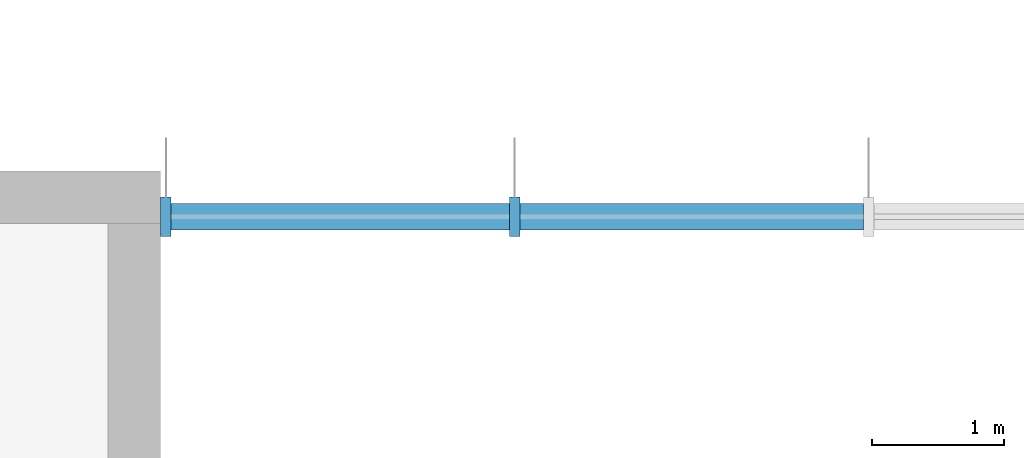
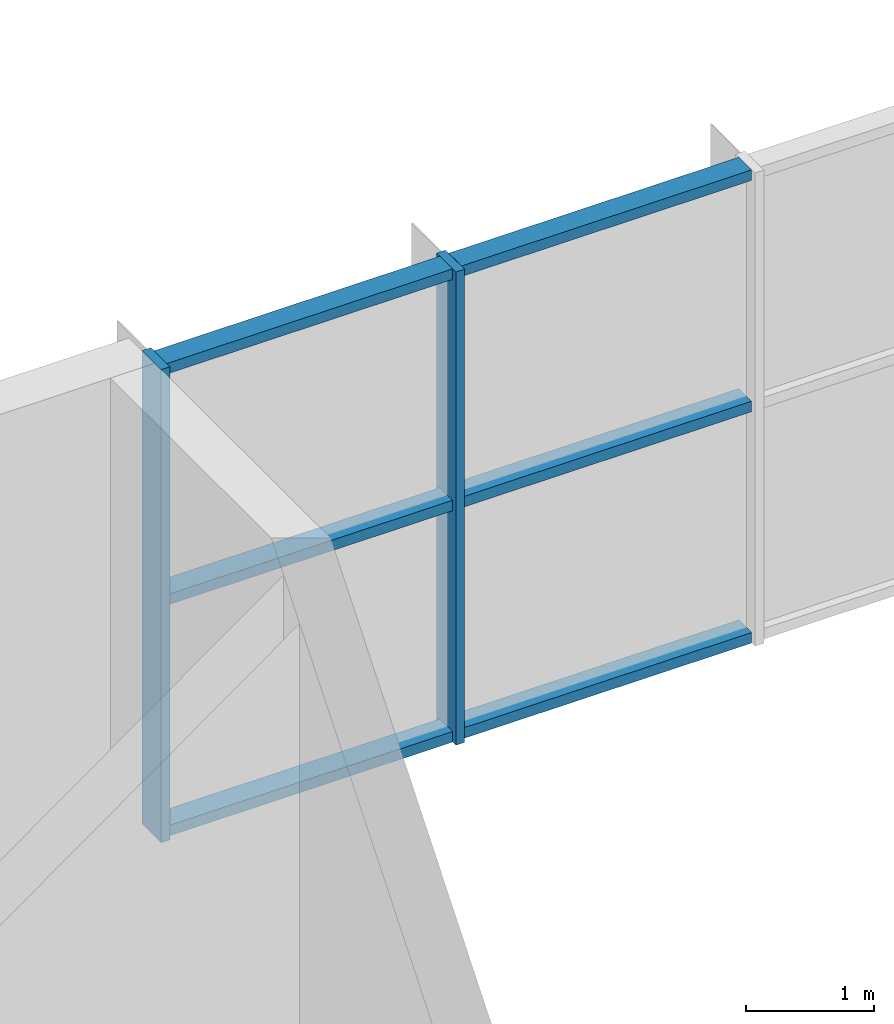
# One storey, part 17 of 89: 8 members, 1 element without a shape of its own.
"""IFC4 building model written with IfcOpenShell, lengths in metres."""

from ifc_helpers import new_model, si_unit, direction, frame, origin, origin_2d, place, context, subcontext, project, spatial, rectangle, extrude, material, material_profile, profile_set, type_object, element, aggregate, save


model = new_model("IFC4")

# Units and contexts
model_context = context("Model", 3, precision=1e-05, world=origin(), true_north=direction((0.0, 1.0)))
body_context = subcontext(model_context, "Body", "Model", "MODEL_VIEW")
ifc_project = project(units=[si_unit("LENGTHUNIT", "METRE"), si_unit("AREAUNIT", "SQUARE_METRE"), si_unit("VOLUMEUNIT", "CUBIC_METRE"), si_unit("PLANEANGLEUNIT", "RADIAN"), si_unit("MASSUNIT", "GRAM", prefix="KILO")], contexts=[model_context])

# Site, building, storey
site_placement = place(None, origin())
site = spatial("IfcSite", under=ifc_project, at=site_placement, CompositionType="ELEMENT")
building_placement = place(site_placement, origin())
building = spatial("IfcBuilding", under=site, at=building_placement, Name="Hlaing Beacon Police Headquarters", CompositionType="ELEMENT")
storey_placement = place(building_placement, frame((0.0, 0.0, 9.89990234375)))
storey = spatial("IfcBuildingStorey", under=building, at=storey_placement, Name="L02", CompositionType="ELEMENT", Elevation=9.89990234375)

# Curtain wall, members
ifc_material_1 = material(Name="Aluminium frame with solar control glazing", Category="aluminium")
curtain_wall_type = type_object("IfcCurtainWallType", Name="Structural glazed gable wall 8.07 x 4.50", PredefinedType="NOTDEFINED", material=ifc_material_1)
curtain_wall_placement = place(storey_placement, origin())
curtain_wall = element("IfcCurtainWall", 1, at=curtain_wall_placement, inside=storey, type_object=curtain_wall_type, Name="ENV-CW-L02-N004", PredefinedType="NOTDEFINED")
ifc_material_2 = material(Name="Aluminium", Category="aluminium")
ifc_material_profile_1 = material_profile(ifc_material_2, rectangle(XDim=0.300048828125, YDim=0.080078125, at=origin_2d()), Name="Mullion 80x300")
ifc_profile_set_1 = profile_set([ifc_material_profile_1], Name="Aluminium")
member_type_1 = type_object("IfcMemberType", Name="Mullion 80x300", PredefinedType="MULLION", material=ifc_profile_set_1)
member_1_placement = place(storey_placement, frame((70.090576171875, 67.050048828125, 0.0), z_axis=(0.0, 0.0, 1.0), x_axis=(0.0, -1.0, 0.0)))
member_1 = element("IfcMember", 2, at=member_1_placement, type_object=member_type_1, Name="CW-L02-N004 mullion 3", PredefinedType="MULLION", context=body_context, shape_type="SweptSolid", body=[
    extrude(rectangle(XDim=0.300048828125, YDim=0.080078125, at=origin_2d()), origin(), (0.0, 0.0, 1.0), 4.5),
])
member_2_placement = place(storey_placement, frame((67.43994140625, 67.050048828125, 0.0), z_axis=(0.0, 0.0, 1.0), x_axis=(0.0, -1.0, 0.0)))
member_2 = element("IfcMember", 3, at=member_2_placement, type_object=member_type_1, Name="CW-L02-N004 mullion 4", PredefinedType="MULLION", context=body_context, shape_type="SweptSolid", body=[
    extrude(rectangle(XDim=0.300048828125, YDim=0.080078125, at=origin_2d()), origin(), (0.0, 0.0, 1.0), 4.5),
])
ifc_material_3 = material(Name="Aluminium", Category="aluminium")
ifc_material_profile_2 = material_profile(ifc_material_3, rectangle(XDim=0.199951171875, YDim=0.10009765625, at=origin_2d()), Name="Transom 200x100")
ifc_profile_set_2 = profile_set([ifc_material_profile_2], Name="Aluminium")
member_type_2 = type_object("IfcMemberType", Name="Transom 200x100", PredefinedType="USERDEFINED", material=ifc_profile_set_2)
member_3_placement = place(storey_placement, frame((72.7412109375, 67.050048828125, 0.050048828125), z_axis=(-1.0, 0.0, 0.0), x_axis=(0.0, -1.0, 0.0)))
member_3 = element("IfcMember", 4, at=member_3_placement, type_object=member_type_2, Name="CW-L02-N004 transom 2.1", ObjectType="TRANSOM", PredefinedType="USERDEFINED", context=body_context, shape_type="SweptSolid", body=[
    extrude(rectangle(XDim=0.199951171875, YDim=0.10009765625, at=origin_2d()), origin(), (0.0, 0.0, 1.0), 2.610595703125),
])
member_4_placement = place(storey_placement, frame((72.7412109375, 67.050048828125, 2.25), z_axis=(-1.0, 0.0, 0.0), x_axis=(0.0, -1.0, 0.0)))
member_4 = element("IfcMember", 5, at=member_4_placement, type_object=member_type_2, Name="CW-L02-N004 transom 2.2", ObjectType="TRANSOM", PredefinedType="USERDEFINED", context=body_context, shape_type="SweptSolid", body=[
    extrude(rectangle(XDim=0.199951171875, YDim=0.10009765625, at=origin_2d()), origin(), (0.0, 0.0, 1.0), 2.610595703125),
])
member_5_placement = place(storey_placement, frame((72.7412109375, 67.050048828125, 4.4501953125), z_axis=(-1.0, 0.0, 0.0), x_axis=(0.0, -1.0, 0.0)))
member_5 = element("IfcMember", 6, at=member_5_placement, type_object=member_type_2, Name="CW-L02-N004 transom 2.3", ObjectType="TRANSOM", PredefinedType="USERDEFINED", context=body_context, shape_type="SweptSolid", body=[
    extrude(rectangle(XDim=0.199951171875, YDim=0.10009765625, at=origin_2d()), origin(), (0.0, 0.0, 1.0), 2.610595703125),
])
member_6_placement = place(storey_placement, frame((70.050537109375, 67.050048828125, 0.050048828125), z_axis=(-1.0, 0.0, 0.0), x_axis=(0.0, -1.0, 0.0)))
member_6 = element("IfcMember", 7, at=member_6_placement, type_object=member_type_2, Name="CW-L02-N004 transom 3.1", ObjectType="TRANSOM", PredefinedType="USERDEFINED", context=body_context, shape_type="SweptSolid", body=[
    extrude(rectangle(XDim=0.199951171875, YDim=0.10009765625, at=origin_2d()), origin(), (0.0, 0.0, 1.0), 2.570556640625),
])
member_7_placement = place(storey_placement, frame((70.050537109375, 67.050048828125, 2.25), z_axis=(-1.0, 0.0, 0.0), x_axis=(0.0, -1.0, 0.0)))
member_7 = element("IfcMember", 8, at=member_7_placement, type_object=member_type_2, Name="CW-L02-N004 transom 3.2", ObjectType="TRANSOM", PredefinedType="USERDEFINED", context=body_context, shape_type="SweptSolid", body=[
    extrude(rectangle(XDim=0.199951171875, YDim=0.10009765625, at=origin_2d()), origin(), (0.0, 0.0, 1.0), 2.570556640625),
])
member_8_placement = place(storey_placement, frame((70.050537109375, 67.050048828125, 4.4501953125), z_axis=(-1.0, 0.0, 0.0), x_axis=(0.0, -1.0, 0.0)))
member_8 = element("IfcMember", 9, at=member_8_placement, type_object=member_type_2, Name="CW-L02-N004 transom 3.3", ObjectType="TRANSOM", PredefinedType="USERDEFINED", context=body_context, shape_type="SweptSolid", body=[
    extrude(rectangle(XDim=0.199951171875, YDim=0.10009765625, at=origin_2d()), origin(), (0.0, 0.0, 1.0), 2.570556640625),
])
aggregate(curtain_wall, [member_1, member_2, member_3, member_4, member_5, member_6, member_7, member_8])

save(model, "model.ifc")
